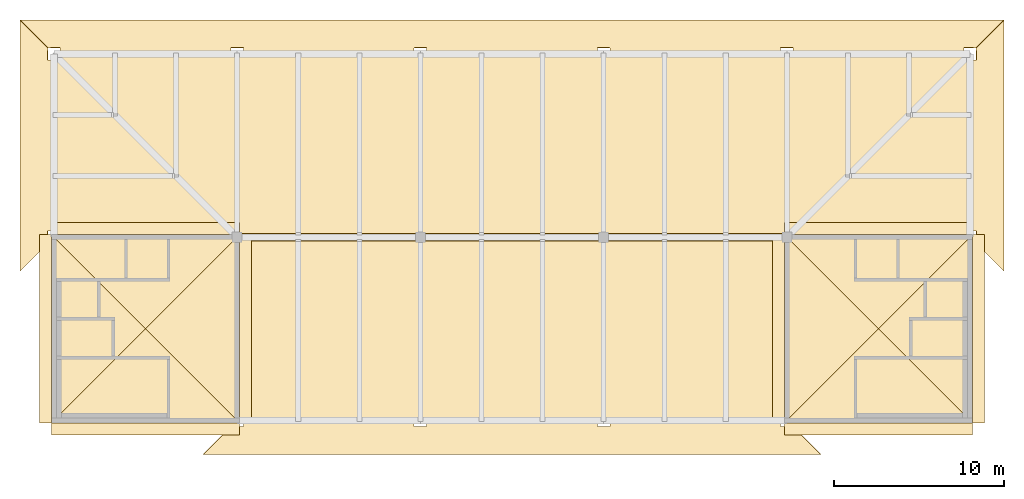
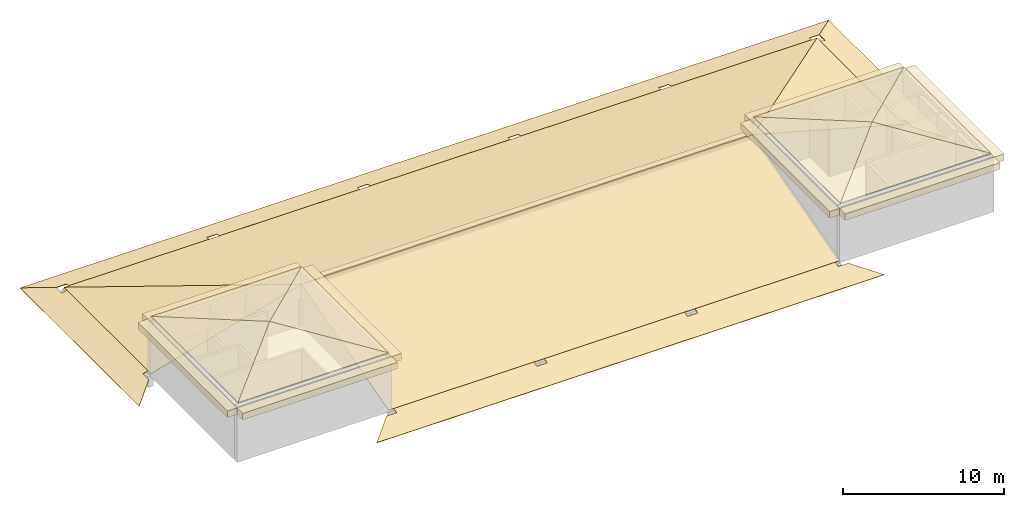
# One storey, part 3 of 3: 25 coverings.
"""IFC4 building model written with IfcOpenShell, lengths in metres."""

import ifcopenshell
import ifcopenshell.guid

model = None  # the IFC model being written
_history = None  # IfcOwnerHistory: only IFC2X3 demands one
_inside = {}  # id of a spatial element -> (the spatial element, [elements in it])
_under = {}  # id of a project, library or spatial element -> (it, [spatial elements below it])
_declared = {}  # id of a project -> (the project, [libraries it declares])
_typed = {}  # id of a type object -> (the type object, [elements of that type])
_made_of = {}  # id of a material, layer set ... -> (it, [elements and type objects made of it])


def new_model(schema):
    """Start an empty IFC model of exactly this schema.

    Asked for "IFC4X3", IfcOpenShell would pick the latest addendum, in which some entities
    have other attributes; the version numbers below select the first issue.
    IFC2X3 requires an IfcOwnerHistory on every rooted entity: one is made here for all.
    """
    global model, _history
    if schema == "IFC4X3":
        model = ifcopenshell.file(schema_version=(4, 3, 0, 0))
    else:
        model = ifcopenshell.file(schema=schema)
    _inside.clear()
    _under.clear()
    _declared.clear()
    _typed.clear()
    _made_of.clear()
    _history = None
    if model.schema == "IFC2X3":
        org = make("IfcOrganization", Name="unknown")
        user = make(
            "IfcPersonAndOrganization",
            ThePerson=make("IfcPerson", FamilyName="unknown"),
            TheOrganization=org,
        )
        app = make(
            "IfcApplication",
            ApplicationDeveloper=org,
            Version="unknown",
            ApplicationFullName="unknown",
            ApplicationIdentifier="unknown",
        )
        _history = make(
            "IfcOwnerHistory",
            OwningUser=user,
            OwningApplication=app,
            ChangeAction="ADDED",
            CreationDate=0,
        )
    return model


def make(cls, **values):
    """One entity of the class cls with the attributes given. An attribute that is None is left unset."""
    return model.create_entity(
        cls, **{name: value for name, value in values.items() if value is not None}
    )


def rooted(cls, **values):
    """An entity with a GlobalId (a new one), such as an element, a storey or a relation."""
    return make(cls, GlobalId=ifcopenshell.guid.new(), OwnerHistory=_history, **values)


def si_unit(unit_type, name, prefix=None):
    """IfcSIUnit, for example si_unit("LENGTHUNIT", "METRE", prefix="MILLI")."""
    return make("IfcSIUnit", UnitType=unit_type, Prefix=prefix, Name=name)


def assignment(units):
    """IfcUnitAssignment: the units of a project."""
    return None if units is None else make("IfcUnitAssignment", Units=units)


def point(xyz):
    """IfcCartesianPoint."""
    return None if xyz is None else make("IfcCartesianPoint", Coordinates=xyz)


def direction(xyz):
    """IfcDirection."""
    return None if xyz is None else make("IfcDirection", DirectionRatios=xyz)


def frame(location, z_axis=None, x_axis=None):
    """IfcAxis2Placement3D, a coordinate frame: its origin and axes. An axis left out is left unset."""
    return make(
        "IfcAxis2Placement3D",
        Location=point(location),
        Axis=direction(z_axis),
        RefDirection=direction(x_axis),
    )


def frame_2d(location, x_axis=None):
    """IfcAxis2Placement2D, a coordinate frame in the plane: its origin and x axis."""
    return make(
        "IfcAxis2Placement2D", Location=point(location), RefDirection=direction(x_axis)
    )


def origin():
    """The frame at (0, 0, 0) with its axes left unset."""
    return frame((0.0, 0.0, 0.0))


def origin_2d():
    """The frame at (0, 0) in the plane with its x axis left unset."""
    return frame_2d((0.0, 0.0))


def place(relative_to, where):
    """IfcLocalPlacement: puts the frame where relative to a parent placement (None: the world)."""
    return make(
        "IfcLocalPlacement", PlacementRelTo=relative_to, RelativePlacement=where
    )


def context(
    kind, dimensions, precision=None, world=None, true_north=None, identifier=None
):
    """IfcGeometricRepresentationContext, for example the 3D "Model" context."""
    return make(
        "IfcGeometricRepresentationContext",
        ContextIdentifier=identifier,
        ContextType=kind,
        CoordinateSpaceDimension=dimensions,
        Precision=precision,
        WorldCoordinateSystem=world,
        TrueNorth=true_north,
    )


def subcontext(parent, identifier, kind, view, scale=None):
    """IfcGeometricRepresentationSubContext, for example "Body" below "Model"."""
    return make(
        "IfcGeometricRepresentationSubContext",
        ContextIdentifier=identifier,
        ContextType=kind,
        ParentContext=parent,
        TargetScale=scale,
        TargetView=view,
    )


def project(units=None, contexts=None):
    """IfcProject with its units and contexts."""
    return rooted(
        "IfcProject",
        Name="project",
        RepresentationContexts=contexts,
        UnitsInContext=assignment(units),
    )


def spatial(cls, under=None, at=None, **own):
    """A site, building, storey or space (cls), placed at a placement, below another one or the project."""
    s = rooted(cls, ObjectPlacement=at, **own)
    if under is not None:
        _under.setdefault(under.id(), (under, []))[1].append(s)
    return s


def polyline(points):
    """IfcPolyline through the points."""
    return make("IfcPolyline", Points=[point(p) for p in points])


def profile(cls, at=None, kind="AREA", **sizes):
    """A parametric profile (cls). Its sizes go by their IFC names, for example OverallWidth=200.0."""
    return make(cls, ProfileType=kind, Position=at, **sizes)


def rectangle(**sizes):
    """IfcRectangleProfileDef."""
    return profile("IfcRectangleProfileDef", **sizes)


def outline(outer, holes=None, kind="AREA"):
    """IfcArbitraryClosedProfileDef: a profile drawn as a closed curve; with holes, ...WithVoids."""
    if holes is None:
        return make("IfcArbitraryClosedProfileDef", ProfileType=kind, OuterCurve=outer)
    return make(
        "IfcArbitraryProfileDefWithVoids",
        ProfileType=kind,
        OuterCurve=outer,
        InnerCurves=holes,
    )


def extrude(swept, where, along, depth):
    """IfcExtrudedAreaSolid: the profile swept, set in the frame where, extruded along a direction by depth."""
    return make(
        "IfcExtrudedAreaSolid",
        SweptArea=swept,
        Position=where,
        ExtrudedDirection=direction(along),
        Depth=depth,
    )


def shape(context_of_items, identifier, shape_type, items):
    """IfcShapeRepresentation: the items that make up one representation, for example the "Body"."""
    return make(
        "IfcShapeRepresentation",
        ContextOfItems=context_of_items,
        RepresentationIdentifier=identifier,
        RepresentationType=shape_type,
        Items=items,
    )


def material(Name=None, Category=None):
    """IfcMaterial."""
    return make("IfcMaterial", Name=Name, Category=Category)


def layer(
    of_material, thickness, ventilated=None, Name=None, Category=None, Priority=None
):
    """IfcMaterialLayer: one layer of a wall or slab, of a material (None: an air gap)."""
    return make(
        "IfcMaterialLayer",
        Material=of_material,
        LayerThickness=thickness,
        IsVentilated=ventilated,
        Name=Name,
        Category=Category,
        Priority=Priority,
    )


def layer_set(layers, Name=None):
    """IfcMaterialLayerSet."""
    return make("IfcMaterialLayerSet", MaterialLayers=layers, LayerSetName=Name)


def made_of(thing, what):
    """Note that an element or type object is made of a material, layer set ...; save() writes the relation."""
    if what is not None:
        _made_of.setdefault(what.id(), (what, []))[1].append(thing)
    return thing


def type_object(cls, material=None, **own):
    """A type object (cls), such as IfcWallType, which elements share."""
    return made_of(rooted(cls, **own), material)


def element(
    cls,
    number,
    at=None,
    inside=None,
    cuts=None,
    type_object=None,
    material=None,
    context=None,
    identifier="Body",
    shape_type=None,
    held_by="IfcProductDefinitionShape",
    body=None,
    shapes=None,
    **own,
):
    """One element of the class cls, such as IfcWall. Its Tag is "e" and its number.

    at: its placement. inside: the storey or other place that contains it. cuts: it is an
    opening in that element (IfcRelVoidsElement). A single representation is given by context,
    identifier, shape_type and body (its items); several are given by shapes. held_by: the class
    of the entity that holds the representations. save() writes the other relations.
    """
    e = rooted(cls, Tag="e%d" % number, ObjectPlacement=at, **own)
    if body is not None:
        shapes = [shape(context, identifier, shape_type, body)]
    if shapes is not None:
        e.Representation = make(held_by, Representations=shapes)
    if inside is not None:
        _inside.setdefault(inside.id(), (inside, []))[1].append(e)
    if cuts is not None:
        rooted(
            "IfcRelVoidsElement", RelatingBuildingElement=cuts, RelatedOpeningElement=e
        )
    if type_object is not None:
        _typed.setdefault(type_object.id(), (type_object, []))[1].append(e)
    return made_of(e, material)


def aggregate(whole, parts):
    """IfcRelAggregates: a whole, such as a stair, and the parts it consists of."""
    return rooted("IfcRelAggregates", RelatingObject=whole, RelatedObjects=parts)


def save(model, path):
    """Write the relations noted so far, then the file.

    IfcRelAggregates (storeys below a building ...), IfcRelContainedInSpatialStructure (elements
    in a storey), IfcRelDefinesByType, IfcRelAssociatesMaterial and IfcRelDeclares: one each for
    every whole, place, type object, material and project.
    """
    for whole, parts in _under.values():
        aggregate(whole, parts)
    for where, things in _inside.values():
        rooted(
            "IfcRelContainedInSpatialStructure",
            RelatedElements=things,
            RelatingStructure=where,
        )
    for kind, things in _typed.values():
        rooted("IfcRelDefinesByType", RelatedObjects=things, RelatingType=kind)
    for what, things in _made_of.values():
        rooted("IfcRelAssociatesMaterial", RelatedObjects=things, RelatingMaterial=what)
    for by, libraries in _declared.values():
        rooted("IfcRelDeclares", RelatingContext=by, RelatedDefinitions=libraries)
    model.write(path)


model = new_model("IFC4")

# Units and contexts
model_context = context("Model", 3, precision=1e-05, world=origin(), true_north=direction((0.0, 1.0)))
body_context = subcontext(model_context, "Body", "Model", "MODEL_VIEW")
ifc_project = project(units=[si_unit("LENGTHUNIT", "METRE"), si_unit("AREAUNIT", "SQUARE_METRE"), si_unit("VOLUMEUNIT", "CUBIC_METRE"), si_unit("PLANEANGLEUNIT", "RADIAN"), si_unit("MASSUNIT", "GRAM", prefix="KILO")], contexts=[model_context])

# Site, building, storey
site_placement = place(None, origin())
site = spatial("IfcSite", under=ifc_project, at=site_placement, CompositionType="ELEMENT")
building_placement = place(site_placement, origin())
building = spatial("IfcBuilding", under=site, at=building_placement, Name="Magnolia Steps Interchange", CompositionType="ELEMENT")
storey_placement = place(building_placement, frame((0.0, 0.0, 28.199951171875)))
storey = spatial("IfcBuildingStorey", under=building, at=storey_placement, Name="RF", CompositionType="ELEMENT", Elevation=28.199951171875)

# Coverings
ifc_material_1 = material(Name="Clay pantile")
ifc_layer_1 = layer(ifc_material_1, 0.0400390625)
ifc_layer_set_1 = layer_set([ifc_layer_1], Name="Clay pantile roofing")
covering_type_1 = type_object("IfcCoveringType", Name="Clay pantile roofing", PredefinedType="ROOFING", material=ifc_layer_set_1)
covering_1_placement = place(storey_placement, frame((107.199951171875, 96.39990234375, 0.04150390625), z_axis=(0.0, -0.26764274042, 0.963518221675), x_axis=(0.0, 0.963518221675, 0.26764274042)))
element("IfcCovering", 1, at=covering_1_placement, inside=storey, type_object=covering_type_1, Name="Clay pantile roof Operations hip roof S", PredefinedType="ROOFING", context=body_context, shape_type="SweptSolid", body=[
    extrude(outline(polyline([(0.0, 0.0), (11.208972062, 0.0), (11.208972062, 32.399902344), (0.0, 32.399902344), (0.0, 0.0)])), origin(), (0.0, 0.0, -1.0), 0.0400390625),
])
covering_2_placement = place(storey_placement, frame((74.800048828125, 107.199951171875, 3.04150390625), z_axis=(0.0, 0.26764274042, 0.963518221675), x_axis=(1.0, 0.0, 0.0)))
element("IfcCovering", 2, at=covering_2_placement, inside=storey, type_object=covering_type_1, Name="Clay pantile roof Operations hip roof N", PredefinedType="ROOFING", context=body_context, shape_type="SweptSolid", body=[
    extrude(outline(polyline([(0.0, 0.0), (32.399902344, 0.0), (43.199951172, 11.208972062), (-10.800048828, 11.208972062), (0.0, 0.0)])), origin(), (0.0, 0.0, -1.0), 0.0400390625),
])
covering_3_placement = place(storey_placement, frame((64.0, 107.199951171875, 0.04150390625), z_axis=(-0.26764274042, 0.0, 0.963518221675), x_axis=(0.963518221675, 0.0, 0.26764274042)))
element("IfcCovering", 3, at=covering_3_placement, inside=storey, type_object=covering_type_1, Name="Clay pantile roof Operations hip roof W", PredefinedType="ROOFING", context=body_context, shape_type="SweptSolid", body=[
    extrude(outline(polyline([(0.0, 0.0), (11.208972062, 0.0), (0.0, 10.800048828), (0.0, 0.0)])), origin(), (0.0, 0.0, -1.0), 0.0400390625),
])
covering_4_placement = place(storey_placement, frame((107.199951171875, 107.199951171875, 3.04150390625), z_axis=(0.26764274042, 0.0, 0.963518221675), x_axis=(0.963518221675, 0.0, -0.26764274042)))
element("IfcCovering", 4, at=covering_4_placement, inside=storey, type_object=covering_type_1, Name="Clay pantile roof Operations hip roof E", PredefinedType="ROOFING", context=body_context, shape_type="SweptSolid", body=[
    extrude(outline(polyline([(0.0, 0.0), (11.208972062, 0.0), (11.208972062, 10.800048828), (0.0, 0.0)])), origin(), (0.0, 0.0, -1.0), 0.0400390625),
])
covering_5_placement = place(storey_placement, frame((64.0, 96.39990234375, 4.38818359375), z_axis=(0.0, -0.182084484594, 0.983282889341), x_axis=(1.0, 0.0, 0.0)))
element("IfcCovering", 5, at=covering_5_placement, inside=storey, type_object=covering_type_1, Name="Clay pantile roof OC-W 1", PredefinedType="ROOFING", context=body_context, shape_type="SweptSolid", body=[
    extrude(outline(polyline([(0.0, 0.0), (10.800048828, 0.0), (5.399902344, 5.491956123), (0.0, 0.0)])), origin(), (0.0, 0.0, -1.0), 0.0400390625),
])
covering_6_placement = place(storey_placement, frame((74.800048828125, 107.199951171875, 4.38818359375), z_axis=(0.0, 0.182092444044, 0.983281415375), x_axis=(-1.0, 0.0, 0.0)))
element("IfcCovering", 6, at=covering_6_placement, inside=storey, type_object=covering_type_1, Name="Clay pantile roof OC-W 2", PredefinedType="ROOFING", context=body_context, shape_type="SweptSolid", body=[
    extrude(outline(polyline([(0.0, 0.0), (10.800048828, 0.0), (5.400146484, 5.491716063), (0.0, 0.0)])), origin(), (0.0, 0.0, -1.0), 0.0400390625),
])
covering_7_placement = place(storey_placement, frame((64.0, 107.199951171875, 4.38818359375), z_axis=(-0.182092444044, 0.0, 0.983281415375), x_axis=(0.0, -1.0, 0.0)))
element("IfcCovering", 7, at=covering_7_placement, inside=storey, type_object=covering_type_1, Name="Clay pantile roof OC-W 3", PredefinedType="ROOFING", context=body_context, shape_type="SweptSolid", body=[
    extrude(outline(polyline([(0.0, 0.0), (10.800048828, 0.0), (5.399902344, 5.491716063), (0.0, 0.0)])), origin(), (0.0, 0.0, -1.0), 0.0400390625),
])
for number, where, z_axis, x_axis, name in (
    (8, (74.800048828125, 96.39990234375, 4.38818359375), (0.182084484594, 0.0, 0.983282889341), (0.0, 1.0, 0.0), "Clay pantile roof OC-W 4"),
    (9, (107.199951171875, 96.39990234375, 4.38818359375), (0.0, -0.182084484594, 0.983282889341), (1.0, 0.0, 0.0), "Clay pantile roof OC-E 1"),
):
    element("IfcCovering", number, at=place(storey_placement, frame(where, z_axis=z_axis, x_axis=x_axis)), inside=storey, type_object=covering_type_1, Name=name, PredefinedType="ROOFING", context=body_context, shape_type="SweptSolid", body=[
        extrude(outline(polyline([(0.0, 0.0), (10.800048828, 0.0), (5.400146484, 5.491956123), (0.0, 0.0)])), origin(), (0.0, 0.0, -1.0), 0.0400390625),
    ])
covering_8_placement = place(storey_placement, frame((118.0, 107.199951171875, 4.38818359375), z_axis=(0.0, 0.182092444044, 0.983281415375), x_axis=(-1.0, 0.0, 0.0)))
element("IfcCovering", 10, at=covering_8_placement, inside=storey, type_object=covering_type_1, Name="Clay pantile roof OC-E 2", PredefinedType="ROOFING", context=body_context, shape_type="SweptSolid", body=[
    extrude(outline(polyline([(0.0, 0.0), (10.800048828, 0.0), (5.399902344, 5.491716063), (0.0, 0.0)])), origin(), (0.0, 0.0, -1.0), 0.0400390625),
])
covering_9_placement = place(storey_placement, frame((107.199951171875, 107.199951171875, 4.38818359375), z_axis=(-0.182084484594, 0.0, 0.983282889341), x_axis=(0.0, -1.0, 0.0)))
element("IfcCovering", 11, at=covering_9_placement, inside=storey, type_object=covering_type_1, Name="Clay pantile roof OC-E 3", PredefinedType="ROOFING", context=body_context, shape_type="SweptSolid", body=[
    extrude(outline(polyline([(0.0, 0.0), (10.800048828, 0.0), (5.399902344, 5.491956123), (0.0, 0.0)])), origin(), (0.0, 0.0, -1.0), 0.0400390625),
])
covering_10_placement = place(storey_placement, frame((118.0, 96.39990234375, 4.38818359375), z_axis=(0.182092444044, 0.0, 0.983281415375), x_axis=(0.0, 1.0, 0.0)))
element("IfcCovering", 12, at=covering_10_placement, inside=storey, type_object=covering_type_1, Name="Clay pantile roof OC-E 4", PredefinedType="ROOFING", context=body_context, shape_type="SweptSolid", body=[
    extrude(outline(polyline([(0.0, 0.0), (10.800048828, 0.0), (5.400146484, 5.491716063), (0.0, 0.0)])), origin(), (0.0, 0.0, -1.0), 0.0400390625),
])
covering_11_placement = place(storey_placement, frame((74.43896484375, 96.033447265625, -0.060302734375), z_axis=(-4.90528e-07, -0.267581708773, 0.963535172752), x_axis=(0.999999024587, -0.001345919338, -0.000373263872)))
element("IfcCovering", 13, at=covering_11_placement, inside=storey, type_object=covering_type_1, Name="Clay pantile eave Operations hip roof S 1", PredefinedType="ROOFING", context=body_context, shape_type="SweptSolid", body=[
    extrude(outline(polyline([(0.0, 0.0), (0.720459687, 0.0), (0.730932242, 0.018258338), (0.730450908, 0.36287561), (0.719194641, 0.381338837), (10.801704337, 0.395421285), (10.790499689, 0.376926687), (10.790981023, 0.032309415), (10.811029576, 0.011545341), (11.520497981, 0.015084636), (11.530970536, 0.033342974), (11.530489202, 0.377960245), (11.519232934, 0.396423472), (21.601742631, 0.410505921), (21.590537983, 0.392011322), (21.591019317, 0.047394051), (21.611067869, 0.026629976), (22.320536274, 0.030169271), (22.33100883, 0.048427609), (22.330527496, 0.393044881), (22.319271228, 0.411508108), (32.401780925, 0.425590557), (32.390576277, 0.407095958), (32.398404493, 0.046257799), (33.125208271, 0.048815026), (34.763320359, -1.646803614), (-1.63654648, -1.697644057), (0.0, 0.0)])), origin(), (0.0, 0.0, -1.0), 0.0400390625),
])
covering_12_placement = place(storey_placement, frame((75.16552734375, 118.00537109375, 0.0400390625), z_axis=(-1.6946e-07, 0.267584870221, 0.963534294786), x_axis=(0.012282378119, 0.963461614746, -0.267564683954)))
element("IfcCovering", 14, at=covering_12_placement, inside=storey, type_object=covering_type_1, Name="Clay pantile eave Operations hip roof N 1", PredefinedType="ROOFING", context=body_context, shape_type="SweptSolid", body=[
    extrude(outline(polyline([(0.0, 0.0), (0.357791562, 0.0), (0.375904938, 0.010721331), (0.369739098, 0.720171771), (0.348702722, 0.739934416), (0.004111109, 0.735701692), (-0.014460712, 0.723998094), (-0.138301028, 10.80600121), (-0.119447335, 10.794757321), (0.241049008, 10.806510179), (0.230580126, 11.533243055), (1.908263217, 13.189960289), (2.620641148, -44.805664698), (0.902770452, -43.190656085), (0.895385505, -42.463885328), (0.534709244, -42.460990853), (0.516137423, -42.472694452), (0.392297107, -32.390691335), (0.4111508, -32.401935225), (0.755742412, -32.397702501), (0.776287013, -32.377429104), (0.76502483, -31.668041264), (0.746653573, -31.657768085), (0.40206196, -31.662000809), (0.383487139, -31.673460285), (0.259649822, -21.59170129), (0.278500516, -21.602701058), (0.623092129, -21.598468334), (0.64363673, -21.578194937), (0.632374547, -20.868807097), (0.614003289, -20.858533918), (0.269411676, -20.862766642), (0.250836856, -20.874226118), (0.126999539, -10.792467124), (0.145850233, -10.803466891), (0.490441846, -10.799234167), (0.510986447, -10.77896077), (0.499724264, -10.06957293), (0.481353006, -10.059299751), (0.136761393, -10.063532475), (0.118186573, -10.074991951), (0.0, 0.0)])), origin(), (0.0, 0.0, -1.0), 0.0400390625),
])
covering_13_placement = place(storey_placement, frame((62.0, 120.0, -0.513916015625), z_axis=(-0.267582816368, 0.0, 0.963534865163), x_axis=(0.693856221223, -0.693854394467, 0.192690486398)))
element("IfcCovering", 15, at=covering_13_placement, inside=storey, type_object=covering_type_1, Name="Clay pantile eave Operations hip roof W 1", PredefinedType="ROOFING", context=body_context, shape_type="SweptSolid", body=[
    extrude(outline(polyline([(0.0, 0.0), (2.357823689, 0.0), (2.861011193, -0.524454581), (3.125776443, -0.279515599), (3.131291095, -0.258267649), (10.127260977, -7.519020273), (10.105822909, -7.523742139), (9.851221541, -7.779229685), (10.356630001, -8.301544303), (10.269078918, -10.657741951), (0.0, 0.0)])), origin(), (0.0, 0.0, -1.0), 0.0400390625),
])
covering_14_placement = place(storey_placement, frame((118.364013671875, 106.8359375, -0.0595703125), z_axis=(0.267584397658, 7.93166e-07, 0.963534426022), x_axis=(0.005047739401, 0.999986276373, -0.001402637441)))
element("IfcCovering", 16, at=covering_14_placement, inside=storey, type_object=covering_type_1, Name="Clay pantile eave Operations hip roof E 1", PredefinedType="ROOFING", context=body_context, shape_type="SweptSolid", body=[
    extrude(outline(polyline([(0.0, 0.0), (0.723398599, 0.0), (0.734045061, 0.018299721), (0.732239611, 0.362912599), (0.720667116, 0.381566396), (10.803292416, 0.43438994), (10.791916007, 0.415615913), (10.801129378, 0.05504573), (11.527917965, 0.060395529), (13.172777156, -1.628915215), (-1.627068562, -1.706452591), (0.0, 0.0)])), origin(), (0.0, 0.0, -1.0), 0.0400390625),
])
ifc_material_2 = material(Name="Lime render")
ifc_layer_2 = layer(ifc_material_2, 0.1201171875)
ifc_layer_set_2 = layer_set([ifc_layer_2], Name="Lime render band")
covering_type_2 = type_object("IfcCoveringType", Name="Lime render band", PredefinedType="CLADDING", material=ifc_layer_set_2)
for number, where, z_axis, x_axis, name in (
    (17, (69.39990234375, 95.89990234375, 3.64013671875), (0.0, 0.0, 1.0), (1.0, 0.0, 0.0), "Cornice core OC-W S"),
    (18, (69.39990234375, 107.699951171875, 3.64013671875), (0.0, 0.0, 1.0), (1.0, 0.0, 0.0), "Cornice core OC-W N"),
):
    element("IfcCovering", number, at=place(storey_placement, frame(where, z_axis=z_axis, x_axis=x_axis)), inside=storey, type_object=covering_type_2, Name=name, PredefinedType="CLADDING", context=body_context, shape_type="SweptSolid", body=[
        extrude(rectangle(XDim=11.10009765625, YDim=0.699951171875, at=origin_2d()), origin(), (0.0, 0.0, 1.0), 0.5),
    ])
for number, where, z_axis, x_axis, name in (
    (19, (63.5, 101.800048828125, 3.64013671875), (0.0, 0.0, 1.0), (1.0, 0.0, 0.0), "Cornice core OC-W W"),
    (20, (75.300048828125, 101.800048828125, 3.64013671875), (0.0, 0.0, 1.0), (1.0, 0.0, 0.0), "Cornice core OC-W E"),
):
    element("IfcCovering", number, at=place(storey_placement, frame(where, z_axis=z_axis, x_axis=x_axis)), inside=storey, type_object=covering_type_2, Name=name, PredefinedType="CLADDING", context=body_context, shape_type="SweptSolid", body=[
        extrude(rectangle(XDim=0.699951171875, YDim=11.10009765625, at=origin_2d()), origin(), (0.0, 0.0, 1.0), 0.5),
    ])
for number, where, z_axis, x_axis, name in (
    (21, (112.60009765625, 95.89990234375, 3.64013671875), (0.0, 0.0, 1.0), (1.0, 0.0, 0.0), "Cornice core OC-E S"),
    (22, (112.60009765625, 107.699951171875, 3.64013671875), (0.0, 0.0, 1.0), (1.0, 0.0, 0.0), "Cornice core OC-E N"),
):
    element("IfcCovering", number, at=place(storey_placement, frame(where, z_axis=z_axis, x_axis=x_axis)), inside=storey, type_object=covering_type_2, Name=name, PredefinedType="CLADDING", context=body_context, shape_type="SweptSolid", body=[
        extrude(rectangle(XDim=11.10009765625, YDim=0.699951171875, at=origin_2d()), origin(), (0.0, 0.0, 1.0), 0.5),
    ])
for number, where, z_axis, x_axis, name in (
    (23, (106.699951171875, 101.800048828125, 3.64013671875), (0.0, 0.0, 1.0), (1.0, 0.0, 0.0), "Cornice core OC-E W"),
    (24, (118.5, 101.800048828125, 3.64013671875), (0.0, 0.0, 1.0), (1.0, 0.0, 0.0), "Cornice core OC-E E"),
):
    element("IfcCovering", number, at=place(storey_placement, frame(where, z_axis=z_axis, x_axis=x_axis)), inside=storey, type_object=covering_type_2, Name=name, PredefinedType="CLADDING", context=body_context, shape_type="SweptSolid", body=[
        extrude(rectangle(XDim=0.699951171875, YDim=11.10009765625, at=origin_2d()), origin(), (0.0, 0.0, 1.0), 0.5),
    ])
covering_15_placement = place(storey_placement, frame((91.0, 107.199951171875, 2.900146484375), z_axis=(0.0, 0.0, 1.0), x_axis=(1.0, 0.0, 0.0)))
element("IfcCovering", 25, at=covering_15_placement, inside=storey, type_object=covering_type_2, Name="Operations roof ridge 1", PredefinedType="CLADDING", context=body_context, shape_type="SweptSolid", body=[
    extrude(rectangle(XDim=32.39990234375, YDim=0.449951171875, at=origin_2d()), origin(), (0.0, 0.0, 1.0), 0.39990234375),
])

save(model, "model.ifc")
